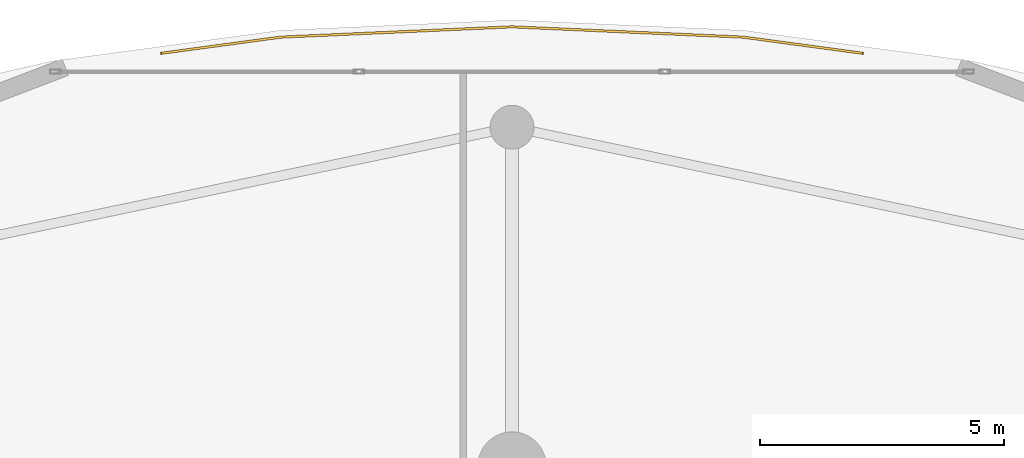
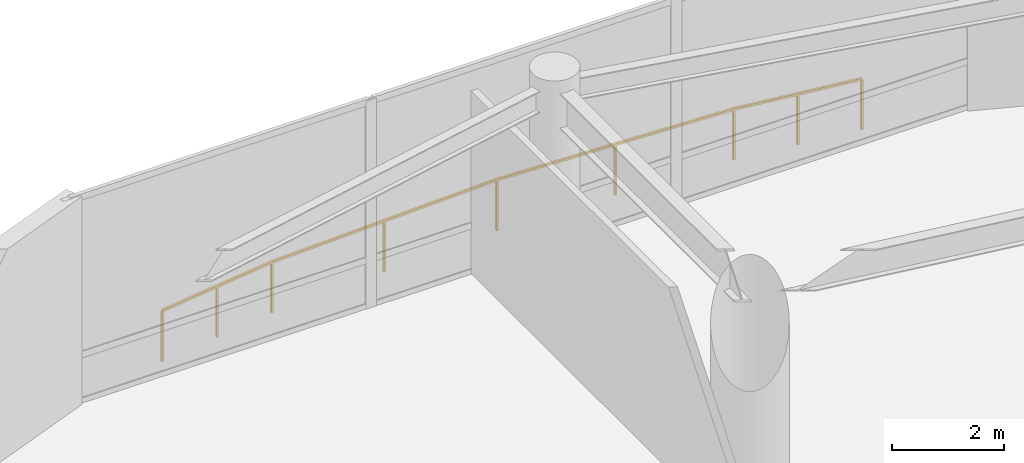
# One storey, part 39 of 40: 1 railing.
"""IFC4 building model written with IfcOpenShell, lengths in metres."""

from ifc_helpers import new_model, si_unit, direction, frame, origin, origin_2d, place, context, subcontext, project, spatial, rectangle, extrude, material, type_object, element, save


model = new_model("IFC4")

# Units and contexts
model_context = context("Model", 3, precision=1e-05, world=origin(), true_north=direction((0.0, 1.0)))
body_context = subcontext(model_context, "Body", "Model", "MODEL_VIEW")
ifc_project = project(units=[si_unit("LENGTHUNIT", "METRE"), si_unit("AREAUNIT", "SQUARE_METRE"), si_unit("VOLUMEUNIT", "CUBIC_METRE"), si_unit("PLANEANGLEUNIT", "RADIAN"), si_unit("MASSUNIT", "GRAM", prefix="KILO")], contexts=[model_context])

# Site, building, storey
site_placement = place(None, origin())
site = spatial("IfcSite", under=ifc_project, at=site_placement, CompositionType="ELEMENT")
building_placement = place(site_placement, origin())
building = spatial("IfcBuilding", under=site, at=building_placement, Name="Kazevale Care Tower and Concert Hall", CompositionType="ELEMENT")
storey_placement = place(building_placement, frame((0.0, 0.0, 9.60009765625)))
storey = spatial("IfcBuildingStorey", under=building, at=storey_placement, Name="L02", CompositionType="ELEMENT", Elevation=9.60009765625)

# Railing
ifc_material = material(Name="Anodised Bronze Aluminium and Laminated Glass", Category="aluminium")
railing_type = type_object("IfcRailingType", Name="Balcony and Terrace Balustrade 1120", PredefinedType="BALUSTRADE", material=ifc_material)
railing_placement = place(storey_placement, frame((37.81201171875, 71.117919921875, 0.0)))
element("IfcRailing", 1, at=railing_placement, inside=storey, type_object=railing_type, Name="rail:L02:perim:7", PredefinedType="BALUSTRADE", context=body_context, shape_type="SweptSolid", body=[
    extrude(rectangle(XDim=0.048095703125, YDim=0.048095703125, at=origin_2d()), frame((0.0, 0.0, 1.09619140625), z_axis=(0.990987454457, 0.1339547129, 0.0), x_axis=(-0.1339547129, 0.990987454457, 0.0)), (0.0, 0.0, 1.0), 2.464111328125),
    extrude(rectangle(XDim=0.048095703125, YDim=0.048095703125, at=origin_2d()), frame((2.44189453125, 0.330078125, 1.09619140625), z_axis=(0.999004667567, 0.044605763963, 0.0), x_axis=(-0.044605763963, 0.999004667567, 0.0)), (0.0, 0.0, 1.0), 4.750732421875),
    extrude(rectangle(XDim=0.048095703125, YDim=0.048095703125, at=origin_2d()), frame((7.18798828125, 0.5419921875, 1.09619140625), z_axis=(0.999004667567, -0.044605763963, 0.0), x_axis=(0.044605763963, 0.999004667567, 0.0)), (0.0, 0.0, 1.0), 4.750732421875),
    extrude(rectangle(XDim=0.048095703125, YDim=0.048095703125, at=origin_2d()), frame((11.93408203125, 0.330078125, 1.09619140625), z_axis=(0.990987454457, -0.1339547129, 0.0), x_axis=(0.1339547129, 0.990987454457, 0.0)), (0.0, 0.0, 1.0), 2.464111328125),
    extrude(rectangle(XDim=0.0419921875, YDim=0.0419921875, at=origin_2d()), origin(), (0.0, 0.0, 1.0), 1.072021484375),
    extrude(rectangle(XDim=0.0419921875, YDim=0.0419921875, at=origin_2d()), frame((1.220947265625, 0.1650390625, 0.0)), (0.0, 0.0, 1.0), 1.072021484375),
    extrude(rectangle(XDim=0.0419921875, YDim=0.0419921875, at=origin_2d()), frame((2.44189453125, 0.330078125, 0.0)), (0.0, 0.0, 1.0), 1.072021484375),
    extrude(rectangle(XDim=0.0419921875, YDim=0.0419921875, at=origin_2d()), frame((4.81494140625, 0.43603515625, 0.0)), (0.0, 0.0, 1.0), 1.072021484375),
    extrude(rectangle(XDim=0.0419921875, YDim=0.0419921875, at=origin_2d()), frame((7.18798828125, 0.5419921875, 0.0)), (0.0, 0.0, 1.0), 1.072021484375),
    extrude(rectangle(XDim=0.0419921875, YDim=0.0419921875, at=origin_2d()), frame((9.56103515625, 0.43603515625, 0.0)), (0.0, 0.0, 1.0), 1.072021484375),
    extrude(rectangle(XDim=0.0419921875, YDim=0.0419921875, at=origin_2d()), frame((11.93408203125, 0.330078125, 0.0)), (0.0, 0.0, 1.0), 1.072021484375),
    extrude(rectangle(XDim=0.0419921875, YDim=0.0419921875, at=origin_2d()), frame((13.155029296875, 0.1650390625, 0.0)), (0.0, 0.0, 1.0), 1.072021484375),
    extrude(rectangle(XDim=0.0419921875, YDim=0.0419921875, at=origin_2d()), frame((14.3759765625, 0.0, 0.0)), (0.0, 0.0, 1.0), 1.072021484375),
])

save(model, "model.ifc")
